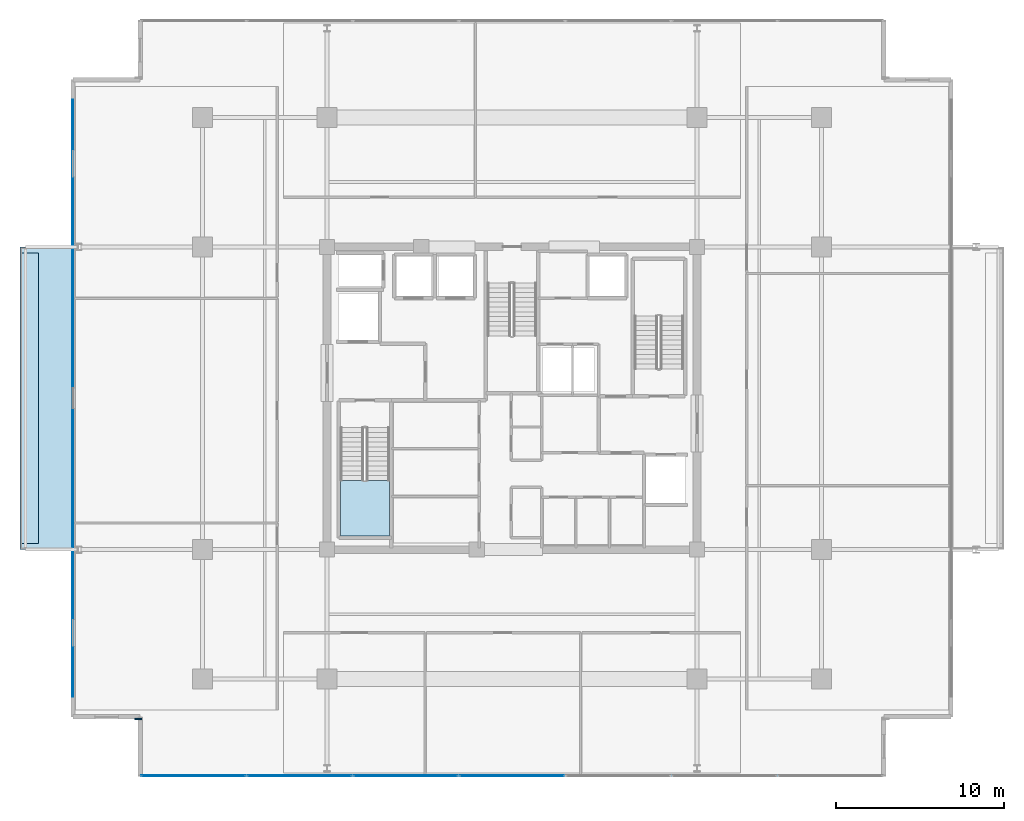
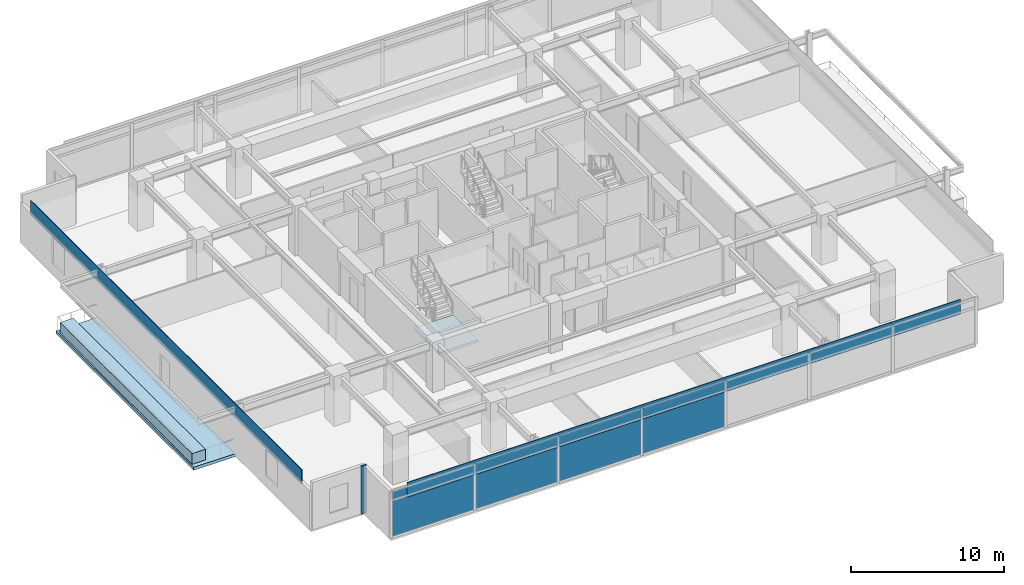
# One storey, part 14 of 24: 11 plates, 3 slabs, 2 elements without a shape of their own.
"""IFC4 building model written with IfcOpenShell, lengths in metres."""

from ifc_helpers import new_model, si_unit, direction, frame, origin, origin_2d, place, context, subcontext, project, spatial, polyline, rectangle, outline, extrude, material, layer, layer_set, type_object, element, aggregate, save


model = new_model("IFC4")

# Units and contexts
model_context = context("Model", 3, precision=1e-05, world=origin(), true_north=direction((0.0, 1.0)))
body_context = subcontext(model_context, "Body", "Model", "MODEL_VIEW")
ifc_project = project(units=[si_unit("LENGTHUNIT", "METRE"), si_unit("AREAUNIT", "SQUARE_METRE"), si_unit("VOLUMEUNIT", "CUBIC_METRE"), si_unit("PLANEANGLEUNIT", "RADIAN"), si_unit("MASSUNIT", "GRAM", prefix="KILO")], contexts=[model_context])

# Site, building, storey
site_placement = place(None, origin())
site = spatial("IfcSite", under=ifc_project, at=site_placement, CompositionType="ELEMENT")
building_placement = place(site_placement, origin())
building = spatial("IfcBuilding", under=site, at=building_placement, Name="Kovane Verandah Tower", CompositionType="ELEMENT")
storey_placement = place(building_placement, frame((0.0, 0.0, 271.199951171875)))
storey = spatial("IfcBuildingStorey", under=building, at=storey_placement, Name="L63", CompositionType="ELEMENT", Elevation=271.199951171875)

# Curtain wall, plates
ifc_material_1 = material(Name="Champagne Anodised Aluminium Frame with Low-E Clear Laminated Glass", Category="aluminium")
curtain_wall_type = type_object("IfcCurtainWallType", Name="CW-SYS-05-HIGH", PredefinedType="NOTDEFINED", material=ifc_material_1)
curtain_wall_placement = place(storey_placement, origin())
curtain_wall = element("IfcCurtainWall", 1, at=curtain_wall_placement, inside=storey, type_object=curtain_wall_type, Name="L63 S Unitised Curtain Wall", PredefinedType="NOTDEFINED")
ifc_material_2 = material(Name="Pale Champagne Anodised Aluminium Insulated Spandrel", Category="aluminium")
ifc_layer_1 = layer(ifc_material_2, 0.0400390625)
ifc_layer_set_1 = layer_set([ifc_layer_1], Name="Pale Champagne Anodised Aluminium Insulated Spandrel")
plate_type_1 = type_object("IfcPlateType", Name="PL-CW-SPD-40", PredefinedType="SHEET", material=ifc_layer_set_1)
plate_1_placement = place(storey_placement, frame((21.051025390625, 5.05029296875, 3.05517578125), z_axis=(0.0, 0.0, 1.0), x_axis=(1.0, 0.0, 0.0)))
plate_1 = element("IfcPlate", 2, at=plate_1_placement, type_object=plate_type_1, Name="L63 S Unitised Curtain Wall Spandrel Panel 1", PredefinedType="SHEET", context=body_context, shape_type="SweptSolid", body=[
    extrude(rectangle(XDim=6.17626953125, YDim=0.0400390625, at=origin_2d()), origin(), (0.0, 0.0, 1.0), 0.639892578125),
])
plate_2_placement = place(storey_placement, frame((27.3671875, 5.05029296875, 3.05517578125), z_axis=(0.0, 0.0, 1.0), x_axis=(1.0, 0.0, 0.0)))
plate_2 = element("IfcPlate", 3, at=plate_2_placement, type_object=plate_type_1, Name="L63 S Unitised Curtain Wall Spandrel Panel 2", PredefinedType="SHEET", context=body_context, shape_type="SweptSolid", body=[
    extrude(rectangle(XDim=6.17626953125, YDim=0.0400390625, at=origin_2d()), origin(), (0.0, 0.0, 1.0), 0.639892578125),
])
plate_3_placement = place(storey_placement, frame((33.68359375, 5.05029296875, 3.05517578125), z_axis=(0.0, 0.0, 1.0), x_axis=(1.0, 0.0, 0.0)))
plate_3 = element("IfcPlate", 4, at=plate_3_placement, type_object=plate_type_1, Name="L63 S Unitised Curtain Wall Spandrel Panel 3", PredefinedType="SHEET", context=body_context, shape_type="SweptSolid", body=[
    extrude(rectangle(XDim=6.17626953125, YDim=0.0400390625, at=origin_2d()), origin(), (0.0, 0.0, 1.0), 0.639892578125),
])
plate_4_placement = place(storey_placement, frame((40.0, 5.05029296875, 3.05517578125), z_axis=(0.0, 0.0, 1.0), x_axis=(1.0, 0.0, 0.0)))
plate_4 = element("IfcPlate", 5, at=plate_4_placement, type_object=plate_type_1, Name="L63 S Unitised Curtain Wall Spandrel Panel 4", PredefinedType="SHEET", context=body_context, shape_type="SweptSolid", body=[
    extrude(rectangle(XDim=6.17626953125, YDim=0.0400390625, at=origin_2d()), origin(), (0.0, 0.0, 1.0), 0.639892578125),
])
ifc_material_3 = material(Name="Clear Low-E Laminated Double Glazing", Category="glass")
ifc_layer_2 = layer(ifc_material_3, 0.031982421875)
ifc_layer_set_2 = layer_set([ifc_layer_2], Name="Clear Low-E Laminated Double Glazing")
plate_type_2 = type_object("IfcPlateType", Name="PL-CW-VIS-32", PredefinedType="CURTAIN_PANEL", material=ifc_layer_set_2)
plate_5_placement = place(storey_placement, frame((21.051025390625, 5.05029296875, 0.10009765625), z_axis=(0.0, 0.0, 1.0), x_axis=(1.0, 0.0, 0.0)))
plate_5 = element("IfcPlate", 6, at=plate_5_placement, type_object=plate_type_2, Name="L63 S Unitised Curtain Wall Vision Panel 1", PredefinedType="CURTAIN_PANEL", context=body_context, shape_type="SweptSolid", body=[
    extrude(rectangle(XDim=6.17626953125, YDim=0.031982421875, at=origin_2d()), origin(), (0.0, 0.0, 1.0), 2.85498046875),
])
plate_6_placement = place(storey_placement, frame((27.3671875, 5.05029296875, 0.10009765625), z_axis=(0.0, 0.0, 1.0), x_axis=(1.0, 0.0, 0.0)))
plate_6 = element("IfcPlate", 7, at=plate_6_placement, type_object=plate_type_2, Name="L63 S Unitised Curtain Wall Vision Panel 2", PredefinedType="CURTAIN_PANEL", context=body_context, shape_type="SweptSolid", body=[
    extrude(rectangle(XDim=6.17626953125, YDim=0.031982421875, at=origin_2d()), origin(), (0.0, 0.0, 1.0), 2.85498046875),
])
plate_7_placement = place(storey_placement, frame((33.68359375, 5.05029296875, 0.10009765625), z_axis=(0.0, 0.0, 1.0), x_axis=(1.0, 0.0, 0.0)))
plate_7 = element("IfcPlate", 8, at=plate_7_placement, type_object=plate_type_2, Name="L63 S Unitised Curtain Wall Vision Panel 3", PredefinedType="CURTAIN_PANEL", context=body_context, shape_type="SweptSolid", body=[
    extrude(rectangle(XDim=6.17626953125, YDim=0.031982421875, at=origin_2d()), origin(), (0.0, 0.0, 1.0), 2.85498046875),
])
plate_8_placement = place(storey_placement, frame((40.0, 5.05029296875, 0.10009765625), z_axis=(0.0, 0.0, 1.0), x_axis=(1.0, 0.0, 0.0)))
plate_8 = element("IfcPlate", 9, at=plate_8_placement, type_object=plate_type_2, Name="L63 S Unitised Curtain Wall Vision Panel 4", PredefinedType="CURTAIN_PANEL", context=body_context, shape_type="SweptSolid", body=[
    extrude(rectangle(XDim=6.17626953125, YDim=0.031982421875, at=origin_2d()), origin(), (0.0, 0.0, 1.0), 2.85498046875),
])
aggregate(curtain_wall, [plate_5, plate_1, plate_6, plate_2, plate_7, plate_3, plate_8, plate_4])

# Plates
ifc_material_4 = material(Name="Timber-Toned Subtropical Aluminium Vertical Blade", Category="wood")
ifc_layer_3 = layer(ifc_material_4, 0.090087890625)
ifc_layer_set_3 = layer_set([ifc_layer_3], Name="Timber-Toned Subtropical Aluminium Vertical Blade")
plate_type_3 = type_object("IfcPlateType", Name="PL-FIN-90", PredefinedType="USERDEFINED", material=ifc_layer_set_3)
plate_9_placement = place(storey_placement, frame((17.772705078125, 8.430419921875, -0.02001953125), z_axis=(0.0, 0.0, 1.0), x_axis=(1.0, 0.0, 0.0)))
element("IfcPlate", 10, at=plate_9_placement, inside=storey, type_object=plate_type_3, Name="L63 SW Timber-Toned Vertical Corner Fin", ObjectType="FIN", PredefinedType="USERDEFINED", context=body_context, shape_type="SweptSolid", body=[
    extrude(rectangle(XDim=0.419921875, YDim=0.090087890625, at=origin_2d()), origin(), (0.0, 0.0, 1.0), 3.844970703125),
])
ifc_material_5 = material(Name="Perforated Pale Champagne Anodised Aluminium Solar Screen", Category="aluminium")
ifc_layer_4 = layer(ifc_material_5, 0.050048828125)
ifc_layer_set_4 = layer_set([ifc_layer_4], Name="Perforated Pale Champagne Anodised Aluminium Solar Screen")
plate_type_4 = type_object("IfcPlateType", Name="PL-SCREEN-50", PredefinedType="USERDEFINED", material=ifc_layer_set_4)
plate_10_placement = place(storey_placement, frame((40.0, 5.035400390625, 2.885009765625), z_axis=(0.0, 0.0, 1.0), x_axis=(1.0, 0.0, 0.0)))
element("IfcPlate", 11, at=plate_10_placement, inside=storey, type_object=plate_type_4, Name="L63 S Perforated Champagne-Gold Solar Screen", ObjectType="SCREEN", PredefinedType="USERDEFINED", context=body_context, shape_type="SweptSolid", body=[
    extrude(rectangle(XDim=41.81396484375, YDim=0.050048828125, at=origin_2d()), origin(), (0.0, 0.0, 1.0), 1.14990234375),
])
plate_11_placement = place(storey_placement, frame((13.877685546875, 27.5, 2.885009765625), z_axis=(0.0, 0.0, 1.0), x_axis=(0.0, -1.0, 0.0)))
element("IfcPlate", 12, at=plate_11_placement, inside=storey, type_object=plate_type_4, Name="L63 W Perforated Champagne-Gold Solar Screen", ObjectType="SCREEN", PredefinedType="USERDEFINED", context=body_context, shape_type="SweptSolid", body=[
    extrude(rectangle(XDim=35.4990234375, YDim=0.050048828125, at=origin_2d()), origin(), (0.0, 0.0, 1.0), 1.14990234375),
])

# Slab
ifc_material_6 = material(Name="Concrete C45/55", Category="concrete")
ifc_layer_5 = layer(ifc_material_6, 0.239990234375)
ifc_layer_set_5 = layer_set([ifc_layer_5], Name="Concrete C45/55")
slab_type_1 = type_object("IfcSlabType", Name="SL-BALC-240", PredefinedType="FLOOR", material=ifc_layer_set_5)
slab_1_placement = place(storey_placement, frame((0.0, 0.0, -0.239990234375)))
element("IfcSlab", 13, at=slab_1_placement, inside=storey, type_object=slab_type_1, Name="L63 W Planted Verandah Balcony Slab", PredefinedType="FLOOR", context=body_context, shape_type="SweptSolid", body=[
    extrude(outline(polyline([(10.742919921875, 18.5), (13.892822265625, 18.5), (13.892822265625, 36.5), (10.742919921875, 36.5), (10.742919921875, 18.5)])), origin(), (0.0, 0.0, 1.0), 0.239990234375),
])

# Stair, slab
stair_type = type_object("IfcStairType", Name="ST-CORE-1380", PredefinedType="HALF_TURN_STAIR", material=ifc_material_6)
stair_placement = place(storey_placement, origin())
stair = element("IfcStair", 14, at=stair_placement, inside=storey, type_object=stair_type, Name="L63 Exit Stair ST-01", PredefinedType="HALF_TURN_STAIR")
ifc_layer_6 = layer(ifc_material_6, 0.199951171875)
ifc_layer_set_6 = layer_set([ifc_layer_6], Name="Concrete C45/55")
slab_type_2 = type_object("IfcSlabType", Name="SL-LAND-200", PredefinedType="LANDING", material=ifc_layer_set_6)
slab_2_placement = place(storey_placement, frame((0.0, 0.0, 1.800048828125)))
slab_2 = element("IfcSlab", 15, at=slab_2_placement, type_object=slab_type_2, Name="ST-01 landing 1", PredefinedType="LANDING", context=body_context, shape_type="SweptSolid", body=[
    extrude(outline(polyline([(29.800048828125, 22.614990234375), (29.800048828125, 19.300048828125), (32.719970703125, 19.300048828125), (32.719970703125, 22.614990234375), (29.800048828125, 22.614990234375)])), origin(), (0.0, 0.0, 1.0), 0.199951171875),
])
aggregate(stair, [slab_2])

# Slab
ifc_material_7 = material(Name="Architectural Precast Concrete C45/55 Planter Trough", Category="concrete")
ifc_layer_7 = layer(ifc_material_7, 0.219970703125)
ifc_layer_set_7 = layer_set([ifc_layer_7], Name="Architectural Precast Concrete C45/55 Planter Trough")
slab_type_3 = type_object("IfcSlabType", Name="SL-PLANTER-220", PredefinedType="USERDEFINED", material=ifc_layer_set_7)
slab_3_placement = place(storey_placement, origin())
element("IfcSlab", 16, at=slab_3_placement, inside=storey, type_object=slab_type_3, Name="L63 W Structural Tree Planter", ObjectType="PLANTER", PredefinedType="USERDEFINED", context=body_context, shape_type="SweptSolid", body=[
    extrude(outline(polyline([(10.8427734375, 18.85009765625), (11.8427734375, 18.85009765625), (11.8427734375, 36.14990234375), (10.8427734375, 36.14990234375), (10.8427734375, 18.85009765625)])), origin(), (0.0, 0.0, 1.0), 0.85009765625),
])

save(model, "model.ifc")
